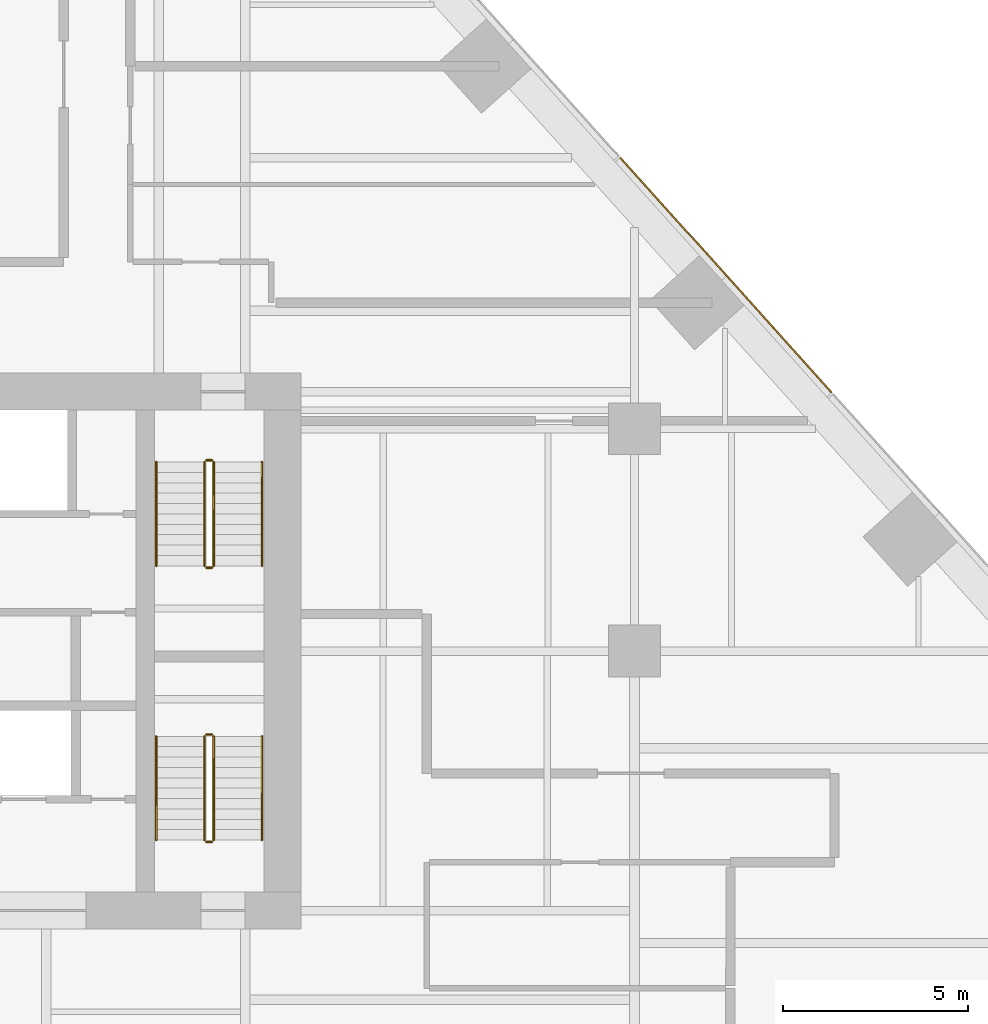
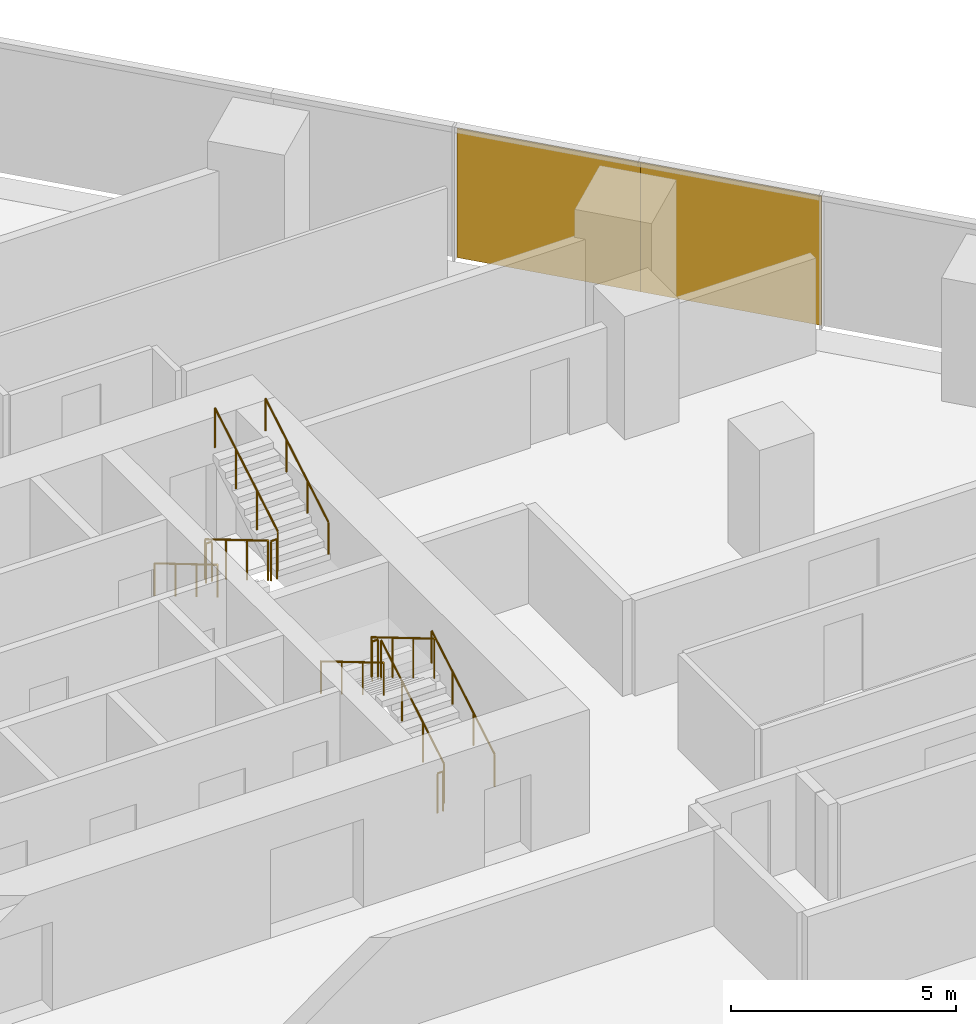
# One storey, part 20 of 20: 12 railings, 2 coverings, 1 element without a shape of its own.
"""IFC4 building model written with IfcOpenShell, lengths in metres."""

from ifc_helpers import new_model, si_unit, direction, frame, origin, origin_2d, place, context, subcontext, project, spatial, rectangle, circle, extrude, material, layer, layer_set, type_object, element, aggregate, save


model = new_model("IFC4")

# Units and contexts
model_context = context("Model", 3, precision=1e-05, world=origin(), true_north=direction((0.0, 1.0)))
body_context = subcontext(model_context, "Body", "Model", "MODEL_VIEW")
ifc_project = project(units=[si_unit("LENGTHUNIT", "METRE"), si_unit("AREAUNIT", "SQUARE_METRE"), si_unit("VOLUMEUNIT", "CUBIC_METRE"), si_unit("PLANEANGLEUNIT", "RADIAN"), si_unit("MASSUNIT", "GRAM", prefix="KILO")], contexts=[model_context])

# Site, building, storey
site_placement = place(None, origin())
site = spatial("IfcSite", under=ifc_project, at=site_placement, CompositionType="ELEMENT")
building_placement = place(site_placement, origin())
building = spatial("IfcBuilding", under=site, at=building_placement, Name="Isthmus Gate Tower", CompositionType="ELEMENT")
storey_placement = place(building_placement, frame((0.0, 0.0, 72.5)))
storey = spatial("IfcBuildingStorey", under=building, at=storey_placement, Name="L16", CompositionType="ELEMENT", Elevation=72.5)

# Curtain wall, coverings
ifc_material_1 = material(Name="Aluminium, pale champagne anodised", Category="aluminium")
ifc_layer_1 = layer(ifc_material_1, 0.199951171875)
ifc_layer_set_1 = layer_set([ifc_layer_1], Name="CW-1 UNITISED CURTAIN WALL 200 DEEP")
curtain_wall_type = type_object("IfcCurtainWallType", Name="CW-1 UNITISED CURTAIN WALL 200 DEEP", PredefinedType="NOTDEFINED", material=ifc_layer_set_1)
curtain_wall_placement = place(storey_placement, origin())
curtain_wall = element("IfcCurtainWall", 1, at=curtain_wall_placement, inside=storey, type_object=curtain_wall_type, Name="CW-1 NE L16", PredefinedType="NOTDEFINED")
ifc_material_2 = material(Name="Aluminium composite panel, pale champagne anodised", Category="aluminium")
ifc_layer_2 = layer(ifc_material_2, 0.0400390625)
ifc_layer_set_2 = layer_set([ifc_layer_2], Name="CW-1 PALE METAL PANEL 40")
covering_type = type_object("IfcCoveringType", Name="CW-1 PALE METAL PANEL 40", PredefinedType="CLADDING", material=ifc_layer_set_2)
covering_1_placement = place(storey_placement, frame((27.910400390625, 16.049560546875, 0.0), z_axis=(0.0, 0.0, 1.0), x_axis=(-0.669130606359, 0.743144825477, 0.0)))
covering_1 = element("IfcCovering", 2, at=covering_1_placement, type_object=covering_type, Name="CW-1 pale metal panel", PredefinedType="CLADDING", context=body_context, shape_type="SweptSolid", body=[
    extrude(rectangle(XDim=4.234619140625, YDim=0.0400390625, at=origin_2d()), origin(), (0.0, 0.0, 1.0), 3.5),
])
covering_2_placement = place(storey_placement, frame((25.056884765625, 19.21875, 0.0), z_axis=(0.0, 0.0, 1.0), x_axis=(-0.669130606359, 0.743144825477, 0.0)))
covering_2 = element("IfcCovering", 3, at=covering_2_placement, type_object=covering_type, Name="CW-1 pale metal panel", PredefinedType="CLADDING", context=body_context, shape_type="SweptSolid", body=[
    extrude(rectangle(XDim=4.294677734375, YDim=0.0400390625, at=origin_2d()), origin(), (0.0, 0.0, 1.0), 3.5),
])
aggregate(curtain_wall, [covering_1, covering_2])

# Railings
ifc_material_3 = material(Name="Stainless steel balustrade", Category="steel")
railing_type_1 = type_object("IfcRailingType", Name="STAIR GUARD 1100", PredefinedType="GUARDRAIL", material=ifc_material_3)
railing_1_placement = place(storey_placement, frame((12.39990234375, 12.60009765625, 0.166015625)))
element("IfcRailing", 4, at=railing_1_placement, inside=storey, type_object=railing_type_1, Name="L16 ST2 stair guard 1", PredefinedType="GUARDRAIL", context=body_context, shape_type="SweptSolid", body=[
    extrude(circle(Radius=0.02392578125, at=origin_2d()), frame((0.0, 0.0, 1.076171875), z_axis=(0.0, -0.860339051648, 0.50972219513), x_axis=(1.0, 0.0, 0.0)), (0.0, 0.0, 1.0), 3.254638671875),
    extrude(circle(Radius=0.02099609375, at=origin_2d()), origin(), (0.0, 0.0, 1.0), 1.052001953125),
    extrude(circle(Radius=0.02099609375, at=origin_2d()), frame((0.0, -0.933349609375, 0.552978515625)), (0.0, 0.0, 1.0), 1.052001953125),
    extrude(circle(Radius=0.02099609375, at=origin_2d()), frame((0.0, -1.86669921875, 1.10595703125)), (0.0, 0.0, 1.0), 1.052001953125),
    extrude(circle(Radius=0.02099609375, at=origin_2d()), frame((0.0, -2.800048828125, 1.658935546875)), (0.0, 0.0, 1.0), 1.052001953125),
])
railing_2_placement = place(storey_placement, frame((12.449951171875, 9.75, 1.824951171875)))
element("IfcRailing", 5, at=railing_2_placement, inside=storey, type_object=railing_type_1, Name="L16 ST2 stair guard 2", PredefinedType="GUARDRAIL", context=body_context, shape_type="SweptSolid", body=[
    extrude(circle(Radius=0.02392578125, at=origin_2d()), frame((0.0, 0.0, 1.076171875), z_axis=(1.0, 0.0, 0.0), x_axis=(0.0, 1.0, 0.0)), (0.0, 0.0, 1.0), 0.150146484375),
    extrude(circle(Radius=0.02099609375, at=origin_2d()), origin(), (0.0, 0.0, 1.0), 1.052001953125),
    extrude(circle(Radius=0.02099609375, at=origin_2d()), frame((0.150146484375, 0.0, 0.0)), (0.0, 0.0, 1.0), 1.052001953125),
])
railing_3_placement = place(storey_placement, frame((12.64990234375, 9.800048828125, 1.990966796875)))
element("IfcRailing", 6, at=railing_3_placement, inside=storey, type_object=railing_type_1, Name="L16 ST2 stair guard 3", PredefinedType="GUARDRAIL", context=body_context, shape_type="SweptSolid", body=[
    extrude(circle(Radius=0.02392578125, at=origin_2d()), frame((0.0, 0.0, 1.076171875), z_axis=(0.0, 0.860339051648, 0.50972219513), x_axis=(-1.0, 0.0, 0.0)), (0.0, 0.0, 1.0), 3.254638671875),
    extrude(circle(Radius=0.02099609375, at=origin_2d()), origin(), (0.0, 0.0, 1.0), 1.052001953125),
    extrude(circle(Radius=0.02099609375, at=origin_2d()), frame((0.0, 0.933349609375, 0.552978515625)), (0.0, 0.0, 1.0), 1.052001953125),
    extrude(circle(Radius=0.02099609375, at=origin_2d()), frame((0.0, 1.86669921875, 1.10595703125)), (0.0, 0.0, 1.0), 1.052001953125),
    extrude(circle(Radius=0.02099609375, at=origin_2d()), frame((0.0, 2.800048828125, 1.658935546875)), (0.0, 0.0, 1.0), 1.052001953125),
])
railing_4_placement = place(storey_placement, frame((12.449951171875, 12.64990234375, 0.0)))
element("IfcRailing", 7, at=railing_4_placement, inside=storey, type_object=railing_type_1, Name="L16 ST2 stair guard 4", PredefinedType="GUARDRAIL", context=body_context, shape_type="SweptSolid", body=[
    extrude(circle(Radius=0.02392578125, at=origin_2d()), frame((0.0, 0.0, 1.076171875), z_axis=(1.0, 0.0, 0.0), x_axis=(0.0, 1.0, 0.0)), (0.0, 0.0, 1.0), 0.150146484375),
    extrude(circle(Radius=0.02099609375, at=origin_2d()), origin(), (0.0, 0.0, 1.0), 1.052001953125),
    extrude(circle(Radius=0.02099609375, at=origin_2d()), frame((0.150146484375, 0.0, 0.0)), (0.0, 0.0, 1.0), 1.052001953125),
])
railing_5_placement = place(storey_placement, frame((12.64990234375, 2.39990234375, 0.166015625)))
element("IfcRailing", 8, at=railing_5_placement, inside=storey, type_object=railing_type_1, Name="L16 ST8 stair guard 1", PredefinedType="GUARDRAIL", context=body_context, shape_type="SweptSolid", body=[
    extrude(circle(Radius=0.02392578125, at=origin_2d()), frame((0.0, 0.0, 1.076171875), z_axis=(0.0, 0.860339051648, 0.50972219513), x_axis=(-1.0, 0.0, 0.0)), (0.0, 0.0, 1.0), 3.254638671875),
    extrude(circle(Radius=0.02099609375, at=origin_2d()), origin(), (0.0, 0.0, 1.0), 1.052001953125),
    extrude(circle(Radius=0.02099609375, at=origin_2d()), frame((0.0, 0.933349609375, 0.552978515625)), (0.0, 0.0, 1.0), 1.052001953125),
    extrude(circle(Radius=0.02099609375, at=origin_2d()), frame((0.0, 1.86669921875, 1.10595703125)), (0.0, 0.0, 1.0), 1.052001953125),
    extrude(circle(Radius=0.02099609375, at=origin_2d()), frame((0.0, 2.800048828125, 1.658935546875)), (0.0, 0.0, 1.0), 1.052001953125),
])
railing_6_placement = place(storey_placement, frame((12.60009765625, 5.25, 1.824951171875)))
element("IfcRailing", 9, at=railing_6_placement, inside=storey, type_object=railing_type_1, Name="L16 ST8 stair guard 2", PredefinedType="GUARDRAIL", context=body_context, shape_type="SweptSolid", body=[
    extrude(circle(Radius=0.02392578125, at=origin_2d()), frame((0.0, 0.0, 1.076171875), z_axis=(-1.0, 0.0, 0.0), x_axis=(0.0, -1.0, 0.0)), (0.0, 0.0, 1.0), 0.150146484375),
    extrude(circle(Radius=0.02099609375, at=origin_2d()), origin(), (0.0, 0.0, 1.0), 1.052001953125),
    extrude(circle(Radius=0.02099609375, at=origin_2d()), frame((-0.150146484375, 0.0, 0.0)), (0.0, 0.0, 1.0), 1.052001953125),
])
railing_7_placement = place(storey_placement, frame((12.39990234375, 5.199951171875, 1.990966796875)))
element("IfcRailing", 10, at=railing_7_placement, inside=storey, type_object=railing_type_1, Name="L16 ST8 stair guard 3", PredefinedType="GUARDRAIL", context=body_context, shape_type="SweptSolid", body=[
    extrude(circle(Radius=0.02392578125, at=origin_2d()), frame((0.0, 0.0, 1.076171875), z_axis=(0.0, -0.860339051648, 0.50972219513), x_axis=(1.0, 0.0, 0.0)), (0.0, 0.0, 1.0), 3.254638671875),
    extrude(circle(Radius=0.02099609375, at=origin_2d()), origin(), (0.0, 0.0, 1.0), 1.052001953125),
    extrude(circle(Radius=0.02099609375, at=origin_2d()), frame((0.0, -0.933349609375, 0.552978515625)), (0.0, 0.0, 1.0), 1.052001953125),
    extrude(circle(Radius=0.02099609375, at=origin_2d()), frame((0.0, -1.86669921875, 1.10595703125)), (0.0, 0.0, 1.0), 1.052001953125),
    extrude(circle(Radius=0.02099609375, at=origin_2d()), frame((0.0, -2.800048828125, 1.658935546875)), (0.0, 0.0, 1.0), 1.052001953125),
])
railing_8_placement = place(storey_placement, frame((12.60009765625, 2.35009765625, 0.0)))
element("IfcRailing", 11, at=railing_8_placement, inside=storey, type_object=railing_type_1, Name="L16 ST8 stair guard 4", PredefinedType="GUARDRAIL", context=body_context, shape_type="SweptSolid", body=[
    extrude(circle(Radius=0.02392578125, at=origin_2d()), frame((0.0, 0.0, 1.076171875), z_axis=(-1.0, 0.0, 0.0), x_axis=(0.0, -1.0, 0.0)), (0.0, 0.0, 1.0), 0.150146484375),
    extrude(circle(Radius=0.02099609375, at=origin_2d()), origin(), (0.0, 0.0, 1.0), 1.052001953125),
    extrude(circle(Radius=0.02099609375, at=origin_2d()), frame((-0.150146484375, 0.0, 0.0)), (0.0, 0.0, 1.0), 1.052001953125),
])
ifc_material_4 = material(Name="Stainless steel handrail", Category="steel")
railing_type_2 = type_object("IfcRailingType", Name="STAIR HANDRAIL 900", PredefinedType="HANDRAIL", material=ifc_material_4)
railing_9_placement = place(storey_placement, frame((11.10009765625, 12.60009765625, 0.166015625)))
element("IfcRailing", 12, at=railing_9_placement, inside=storey, type_object=railing_type_2, Name="L16 ST2 stair handrail 1", PredefinedType="HANDRAIL", context=body_context, shape_type="SweptSolid", body=[
    extrude(circle(Radius=0.02392578125, at=origin_2d()), frame((0.0, 0.0, 0.8759765625), z_axis=(0.0, -0.860339051648, 0.50972219513), x_axis=(1.0, 0.0, 0.0)), (0.0, 0.0, 1.0), 3.254638671875),
    extrude(circle(Radius=0.02099609375, at=origin_2d()), origin(), (0.0, 0.0, 1.0), 0.851806640625),
    extrude(circle(Radius=0.02099609375, at=origin_2d()), frame((0.0, -0.933349609375, 0.552978515625)), (0.0, 0.0, 1.0), 0.851806640625),
    extrude(circle(Radius=0.02099609375, at=origin_2d()), frame((0.0, -1.86669921875, 1.10595703125)), (0.0, 0.0, 1.0), 0.851806640625),
    extrude(circle(Radius=0.02099609375, at=origin_2d()), frame((0.0, -2.800048828125, 1.658935546875)), (0.0, 0.0, 1.0), 0.851806640625),
])
for number, where, name in (
    (13, (13.949951171875, 9.800048828125, 1.990966796875), "L16 ST2 stair handrail 2"),
    (14, (13.949951171875, 2.39990234375, 0.166015625), "L16 ST8 stair handrail 1"),
):
    element("IfcRailing", number, at=place(storey_placement, frame(where)), inside=storey, type_object=railing_type_2, Name=name, PredefinedType="HANDRAIL", context=body_context, shape_type="SweptSolid", body=[
        extrude(circle(Radius=0.02392578125, at=origin_2d()), frame((0.0, 0.0, 0.8759765625), z_axis=(0.0, 0.860339051648, 0.50972219513), x_axis=(-1.0, 0.0, 0.0)), (0.0, 0.0, 1.0), 3.254638671875),
        extrude(circle(Radius=0.02099609375, at=origin_2d()), origin(), (0.0, 0.0, 1.0), 0.851806640625),
        extrude(circle(Radius=0.02099609375, at=origin_2d()), frame((0.0, 0.933349609375, 0.552978515625)), (0.0, 0.0, 1.0), 0.851806640625),
        extrude(circle(Radius=0.02099609375, at=origin_2d()), frame((0.0, 1.86669921875, 1.10595703125)), (0.0, 0.0, 1.0), 0.851806640625),
        extrude(circle(Radius=0.02099609375, at=origin_2d()), frame((0.0, 2.800048828125, 1.658935546875)), (0.0, 0.0, 1.0), 0.851806640625),
    ])
railing_10_placement = place(storey_placement, frame((11.10009765625, 5.199951171875, 1.990966796875)))
element("IfcRailing", 15, at=railing_10_placement, inside=storey, type_object=railing_type_2, Name="L16 ST8 stair handrail 2", PredefinedType="HANDRAIL", context=body_context, shape_type="SweptSolid", body=[
    extrude(circle(Radius=0.02392578125, at=origin_2d()), frame((0.0, 0.0, 0.8759765625), z_axis=(0.0, -0.860339051648, 0.50972219513), x_axis=(1.0, 0.0, 0.0)), (0.0, 0.0, 1.0), 3.254638671875),
    extrude(circle(Radius=0.02099609375, at=origin_2d()), origin(), (0.0, 0.0, 1.0), 0.851806640625),
    extrude(circle(Radius=0.02099609375, at=origin_2d()), frame((0.0, -0.933349609375, 0.552978515625)), (0.0, 0.0, 1.0), 0.851806640625),
    extrude(circle(Radius=0.02099609375, at=origin_2d()), frame((0.0, -1.86669921875, 1.10595703125)), (0.0, 0.0, 1.0), 0.851806640625),
    extrude(circle(Radius=0.02099609375, at=origin_2d()), frame((0.0, -2.800048828125, 1.658935546875)), (0.0, 0.0, 1.0), 0.851806640625),
])

save(model, "model.ifc")
